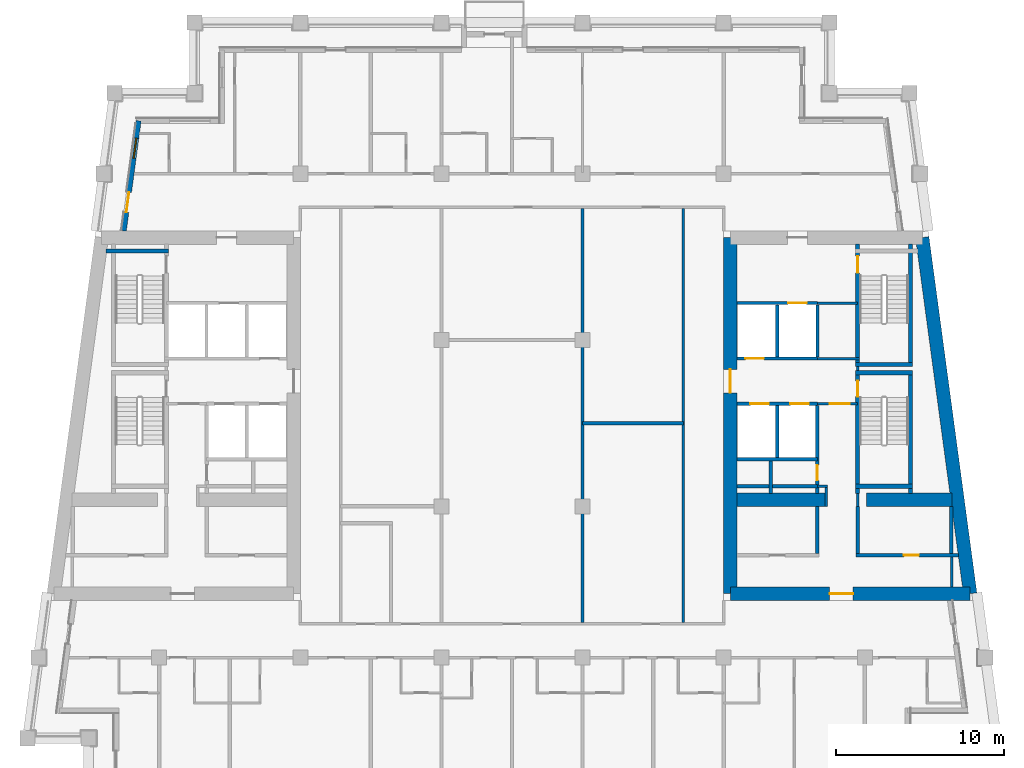
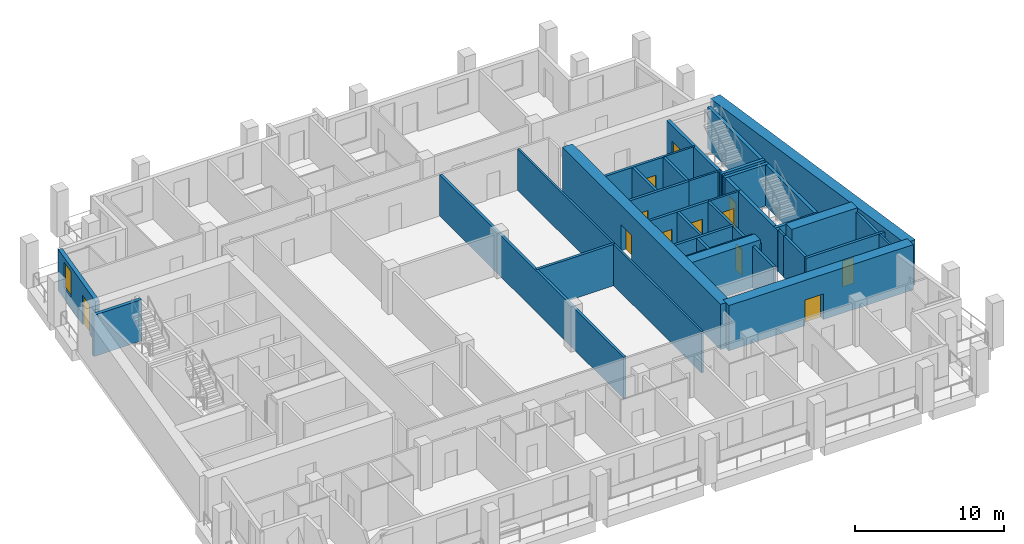
# One storey, part 5 of 12: 39 walls, 12 doors, 1 window, 13 openings.
"""IFC4 building model written with IfcOpenShell, lengths in metres."""

from ifc_helpers import new_model, si_unit, direction, frame, frame_2d, origin, place, context, subcontext, project, spatial, rectangle, extrude, material, layer, layer_set, type_object, element, fill, save


model = new_model("IFC4")

# Units and contexts
model_context = context("Model", 3, precision=1e-05, world=origin(), true_north=direction((0.0, 1.0)))
body_context = subcontext(model_context, "Body", "Model", "MODEL_VIEW")
ifc_project = project(units=[si_unit("LENGTHUNIT", "METRE"), si_unit("AREAUNIT", "SQUARE_METRE"), si_unit("VOLUMEUNIT", "CUBIC_METRE"), si_unit("PLANEANGLEUNIT", "RADIAN"), si_unit("MASSUNIT", "GRAM", prefix="KILO")], contexts=[model_context])

# Site, building, storey
site_placement = place(None, origin())
site = spatial("IfcSite", under=ifc_project, at=site_placement, CompositionType="ELEMENT")
building_placement = place(site_placement, origin())
building = spatial("IfcBuilding", under=site, at=building_placement, Name="Candeia Pilgrim Tower and Theatre", CompositionType="ELEMENT")
storey_placement = place(building_placement, frame((0.0, 0.0, 217.0)))
storey = spatial("IfcBuildingStorey", under=building, at=storey_placement, Name="L52", CompositionType="ELEMENT", Elevation=217.0)

# Wall
ifc_material_1 = material(Name="Concrete C50/60", Category="concrete")
ifc_layer_1 = layer(ifc_material_1, 0.800048828125)
ifc_layer_set_1 = layer_set([ifc_layer_1], Name="Core wall 800 C50/60")
wall_type_1 = type_object("IfcWallType", Name="Core wall 800 C50/60", PredefinedType="SHEAR", material=ifc_layer_set_1)
wall_1_placement = place(storey_placement, frame((137.819580078125, 132.0, 0.0), z_axis=(0.0, 0.0, 1.0), x_axis=(0.133408347329, -0.991061154956, 0.0)))
element("IfcWall", 1, at=wall_1_placement, inside=storey, type_object=wall_type_1, Name="Core wall E2", PredefinedType="SHEAR", context=body_context, shape_type="SweptSolid", body=[
    extrude(rectangle(XDim=21.39111328125, YDim=0.800048828125, at=frame_2d((10.695556640625, 0.0))), origin(), (0.0, 0.0, 1.0), 3.699951171875),
])

# Wall, opening, door
wall_2_placement = place(storey_placement, frame((140.67333984375, 110.800048828125, 0.0), z_axis=(0.0, 0.0, 1.0), x_axis=(-1.0, 0.0, 0.0)))
wall_2 = element("IfcWall", 2, at=wall_2_placement, inside=storey, type_object=wall_type_1, Name="Core wall E3", PredefinedType="SHEAR", context=body_context, shape_type="SweptSolid", body=[
    extrude(rectangle(XDim=14.2734375, YDim=0.800048828125, at=frame_2d((7.13671875, 0.0))), origin(), (0.0, 0.0, 1.0), 3.699951171875),
])
opening_1_placement = place(wall_2_placement, frame((6.96533203125, 0.0, 0.0)))
opening_1 = element("IfcOpeningElement", 3, at=opening_1_placement, cuts=wall_2, Name="Opening L52-D056", PredefinedType="OPENING", context=body_context, shape_type="SweptSolid", body=[
    extrude(rectangle(XDim=1.39990234375, YDim=2.10009765625, at=frame_2d((0.699951171875, 1.050048828125))), frame((0.0, 0.41015625, 0.0), z_axis=(0.0, -1.0, 0.0), x_axis=(1.0, 0.0, 0.0)), (0.0, 0.0, 1.0), 0.820068359375),
])
ifc_material_2 = material(Name="Steel fire door set", Category="steel")
door_type_1 = type_object("IfcDoorType", Name="D-1400-FD60", OperationType="NOTDEFINED", PredefinedType="DOOR", material=ifc_material_2)
door_1_placement = place(opening_1_placement, origin())
door_1 = element("IfcDoor", 4, at=door_1_placement, inside=storey, type_object=door_type_1, Name="Door L52-D056", OperationType="SINGLE_SWING_RIGHT", OverallHeight=2.10009765625, OverallWidth=1.39990234375, PredefinedType="DOOR", context=body_context, shape_type="SweptSolid", body=[
    extrude(rectangle(XDim=1.39990234375, YDim=2.10009765625, at=frame_2d((0.699951171875, 1.050048828125))), frame((0.0, 0.02490234375, 0.0), z_axis=(0.0, -1.0, 0.0), x_axis=(1.0, 0.0, 0.0)), (0.0, 0.0, 1.0), 0.050048828125),
])
fill(opening_1, door_1)

wall_3_placement = place(storey_placement, frame((126.39990234375, 110.800048828125, 0.0), z_axis=(0.0, 0.0, 1.0), x_axis=(0.0, 1.0, 0.0)))
wall_3 = element("IfcWall", 5, at=wall_3_placement, inside=storey, type_object=wall_type_1, Name="Core wall E4", PredefinedType="SHEAR", context=body_context, shape_type="SweptSolid", body=[
    extrude(rectangle(XDim=21.199951171875, YDim=0.800048828125, at=frame_2d((10.60009765625, 0.0))), origin(), (0.0, 0.0, 1.0), 3.699951171875),
])
opening_2_placement = place(wall_3_placement, frame((11.949951171875, 0.0, 0.0)))
opening_2 = element("IfcOpeningElement", 6, at=opening_2_placement, cuts=wall_3, Name="Opening L52-D058", PredefinedType="OPENING", context=body_context, shape_type="SweptSolid", body=[
    extrude(rectangle(XDim=1.39990234375, YDim=2.10009765625, at=frame_2d((0.699951171875, 1.050048828125))), frame((0.0, 0.41015625, 0.0), z_axis=(0.0, -1.0, 0.0), x_axis=(1.0, 0.0, 0.0)), (0.0, 0.0, 1.0), 0.820068359375),
])
door_2_placement = place(opening_2_placement, origin())
door_2 = element("IfcDoor", 7, at=door_2_placement, inside=storey, type_object=door_type_1, Name="Door L52-D058", OperationType="SINGLE_SWING_RIGHT", OverallHeight=2.10009765625, OverallWidth=1.39990234375, PredefinedType="DOOR", context=body_context, shape_type="SweptSolid", body=[
    extrude(rectangle(XDim=1.39990234375, YDim=2.10009765625, at=frame_2d((0.699951171875, 1.050048828125))), frame((0.0, 0.02490234375, 0.0), z_axis=(0.0, -1.0, 0.0), x_axis=(1.0, 0.0, 0.0)), (0.0, 0.0, 1.0), 0.050048828125),
])
fill(opening_2, door_2)

# Walls
wall_4_placement = place(storey_placement, frame((126.800048828125, 116.39990234375, 0.0), z_axis=(0.0, 0.0, 1.0), x_axis=(1.0, 0.0, 0.0)))
element("IfcWall", 8, at=wall_4_placement, inside=storey, type_object=wall_type_1, Name="Core wall E5", PredefinedType="SHEAR", context=body_context, shape_type="SweptSolid", body=[
    extrude(rectangle(XDim=5.300048828125, YDim=0.800048828125, at=frame_2d((2.64990234375, 0.0))), origin(), (0.0, 0.0, 1.0), 3.699951171875),
])
wall_5_placement = place(storey_placement, frame((134.5, 116.39990234375, 0.0), z_axis=(0.0, 0.0, 1.0), x_axis=(1.0, 0.0, 0.0)))
element("IfcWall", 9, at=wall_5_placement, inside=storey, type_object=wall_type_1, Name="Core wall E6", PredefinedType="SHEAR", context=body_context, shape_type="SweptSolid", body=[
    extrude(rectangle(XDim=5.076904296875, YDim=0.800048828125, at=frame_2d((2.53857421875, 0.0))), origin(), (0.0, 0.0, 1.0), 3.699951171875),
])

# Wall, openings, door, window
ifc_material_3 = material(Name="Ceramic block masonry", Category="masonry")
ifc_layer_2 = layer(ifc_material_3, 0.300048828125)
ifc_layer_set_2 = layer_set([ifc_layer_2], Name="EW1 glazing-line wall 300")
wall_type_2 = type_object("IfcWallType", Name="EW1 glazing-line wall 300", PredefinedType="SOLIDWALL", material=ifc_layer_set_2)
wall_6_placement = place(storey_placement, frame((91.177490234375, 138.949951171875, 0.0), z_axis=(0.0, 0.0, 1.0), x_axis=(-0.133426664613, -0.991058689065, 0.0)))
wall_6 = element("IfcWall", 10, at=wall_6_placement, inside=storey, type_object=wall_type_2, Name="External wall L52-9.0", PredefinedType="SOLIDWALL", context=body_context, shape_type="SweptSolid", body=[
    extrude(rectangle(XDim=6.609130859375, YDim=0.300048828125, at=frame_2d((3.3046875, 0.0))), origin(), (0.0, 0.0, 1.0), 3.3798828125),
])
opening_3_placement = place(wall_6_placement, frame((1.039306640625, 0.0, 0.89990234375)))
opening_3 = element("IfcOpeningElement", 11, at=opening_3_placement, cuts=wall_6, Name="Opening W-B", PredefinedType="OPENING", context=body_context, shape_type="SweptSolid", body=[
    extrude(rectangle(XDim=1.199951171875, YDim=2.10009765625, at=frame_2d((0.60009765625, 1.050048828125))), frame((0.0, 0.16015625, 0.0), z_axis=(0.0, -1.0, 0.0), x_axis=(1.0, 0.0, 0.0)), (0.0, 0.0, 1.0), 0.320068359375),
])
opening_4_placement = place(wall_6_placement, frame((4.293701171875, 0.0, 0.0)))
opening_4 = element("IfcOpeningElement", 12, at=opening_4_placement, cuts=wall_6, Name="Opening L52-ED501", PredefinedType="OPENING", context=body_context, shape_type="SweptSolid", body=[
    extrude(rectangle(XDim=1.199951171875, YDim=2.39990234375, at=frame_2d((0.60009765625, 1.199951171875))), frame((0.0, 0.16015625, 0.0), z_axis=(0.0, -1.0, 0.0), x_axis=(1.0, 0.0, 0.0)), (0.0, 0.0, 1.0), 0.320068359375),
])
ifc_material_4 = material(Name="Aluminium framed glazed door", Category="aluminium")
door_type_2 = type_object("IfcDoorType", Name="Loggia door 1200x2400", OperationType="DOUBLE_DOOR_SINGLE_SWING", PredefinedType="DOOR", material=ifc_material_4)
door_3_placement = place(opening_4_placement, origin())
door_3 = element("IfcDoor", 13, at=door_3_placement, inside=storey, type_object=door_type_2, Name="Loggia door L52-ED501", OperationType="DOUBLE_DOOR_SINGLE_SWING", OverallHeight=2.39990234375, OverallWidth=1.199951171875, PredefinedType="DOOR", context=body_context, shape_type="SweptSolid", body=[
    extrude(rectangle(XDim=1.199951171875, YDim=2.39990234375, at=frame_2d((0.60009765625, 1.199951171875))), frame((0.0, 0.02490234375, 0.0), z_axis=(0.0, -1.0, 0.0), x_axis=(1.0, 0.0, 0.0)), (0.0, 0.0, 1.0), 0.050048828125),
])
fill(opening_4, door_3)
ifc_material_5 = material(Name="Aluminium framed double glazing", Category="aluminium")
window_type = type_object("IfcWindowType", Name="W-B window 1200x2100", PartitioningType="SINGLE_PANEL", PredefinedType="WINDOW", material=ifc_material_5)
window_placement = place(opening_3_placement, origin())
window = element("IfcWindow", 14, at=window_placement, inside=storey, type_object=window_type, Name="Window W-B L52", OverallHeight=2.10009765625, OverallWidth=1.199951171875, PartitioningType="SINGLE_PANEL", PredefinedType="WINDOW", context=body_context, shape_type="SweptSolid", body=[
    extrude(rectangle(XDim=1.199951171875, YDim=2.10009765625, at=frame_2d((0.60009765625, 1.050048828125))), frame((0.0, 0.030029296875, 0.0), z_axis=(0.0, -1.0, 0.0), x_axis=(1.0, 0.0, 0.0)), (0.0, 0.0, 1.0), 0.06005859375),
])
fill(opening_3, window)

# Wall
ifc_material_6 = material(Name="Gypsum board partition on steel studs", Category="steel")
ifc_layer_3 = layer(ifc_material_6, 0.14990234375)
ifc_layer_set_3 = layer_set([ifc_layer_3], Name="PW-150 lobby wall")
wall_type_3 = type_object("IfcWallType", Name="PW-150 lobby wall", PredefinedType="PARTITIONING", material=ifc_layer_set_3)
wall_7_placement = place(storey_placement, frame((131.572998046875, 117.199951171875, 0.0), z_axis=(0.0, 0.0, 1.0), x_axis=(1.0, 0.0, 0.0)))
element("IfcWall", 15, at=wall_7_placement, inside=storey, type_object=wall_type_3, Name="Lobby wall L52-020", PredefinedType="PARTITIONING", context=body_context, shape_type="SweptSolid", body=[
    extrude(rectangle(XDim=0.60205078125, YDim=0.14990234375, at=frame_2d((0.301025390625, 0.0))), origin(), (0.0, 0.0, 1.0), 3.3798828125),
])

# Wall, opening, door
wall_8_placement = place(storey_placement, frame((131.572998046875, 122.10009765625, 0.0), z_axis=(0.0, 0.0, 1.0), x_axis=(1.0, 0.0, 0.0)))
wall_8 = element("IfcWall", 16, at=wall_8_placement, inside=storey, type_object=wall_type_3, Name="Lobby wall L52-029", PredefinedType="PARTITIONING", context=body_context, shape_type="SweptSolid", body=[
    extrude(rectangle(XDim=2.39990234375, YDim=0.14990234375, at=frame_2d((1.199951171875, 0.0))), origin(), (0.0, 0.0, 1.0), 3.3798828125),
])
opening_5_placement = place(wall_8_placement, frame((0.72509765625, 0.0, 0.0)))
opening_5 = element("IfcOpeningElement", 17, at=opening_5_placement, cuts=wall_8, Name="Opening L52-D007", PredefinedType="OPENING", context=body_context, shape_type="SweptSolid", body=[
    extrude(rectangle(XDim=1.199951171875, YDim=2.10009765625, at=frame_2d((0.60009765625, 1.050048828125))), frame((0.0, 0.0849609375, 0.0), z_axis=(0.0, -1.0, 0.0), x_axis=(1.0, 0.0, 0.0)), (0.0, 0.0, 1.0), 0.169921875),
])
door_type_3 = type_object("IfcDoorType", Name="D-1200-FD60", OperationType="NOTDEFINED", PredefinedType="DOOR", material=ifc_material_2)
door_4_placement = place(opening_5_placement, origin())
door_4 = element("IfcDoor", 18, at=door_4_placement, inside=storey, type_object=door_type_3, Name="Door L52-D007", OperationType="SINGLE_SWING_LEFT", OverallHeight=2.10009765625, OverallWidth=1.199951171875, PredefinedType="DOOR", context=body_context, shape_type="SweptSolid", body=[
    extrude(rectangle(XDim=1.199951171875, YDim=2.10009765625, at=frame_2d((0.60009765625, 1.050048828125))), frame((0.0, 0.02490234375, 0.0), z_axis=(0.0, -1.0, 0.0), x_axis=(1.0, 0.0, 0.0)), (0.0, 0.0, 1.0), 0.050048828125),
])
fill(opening_5, door_4)

# Walls
wall_9_placement = place(storey_placement, frame((131.58203125, 124.800048828125, 0.0), z_axis=(0.0, 0.0, 1.0), x_axis=(1.0, 0.0, 0.0)))
element("IfcWall", 19, at=wall_9_placement, inside=storey, type_object=wall_type_3, Name="Lobby wall L52-036", PredefinedType="PARTITIONING", context=body_context, shape_type="SweptSolid", body=[
    extrude(rectangle(XDim=2.515869140625, YDim=0.14990234375, at=frame_2d((1.2578125, 0.0))), origin(), (0.0, 0.0, 1.0), 3.3798828125),
])
wall_10_placement = place(storey_placement, frame((131.58203125, 128.10009765625, 0.0), z_axis=(0.0, 0.0, 1.0), x_axis=(1.0, 0.0, 0.0)))
element("IfcWall", 20, at=wall_10_placement, inside=storey, type_object=wall_type_3, Name="Lobby wall L52-040", PredefinedType="PARTITIONING", context=body_context, shape_type="SweptSolid", body=[
    extrude(rectangle(XDim=2.390869140625, YDim=0.14990234375, at=frame_2d((1.1953125, 0.0))), origin(), (0.0, 0.0, 1.0), 3.3798828125),
])
wall_11_placement = place(storey_placement, frame((132.10009765625, 116.0, 0.0), z_axis=(0.0, 0.0, 1.0), x_axis=(0.0, 1.0, 0.0)))
element("IfcWall", 21, at=wall_11_placement, inside=storey, type_object=wall_type_3, Name="Lobby wall L52-109", PredefinedType="PARTITIONING", context=body_context, shape_type="SweptSolid", body=[
    extrude(rectangle(XDim=1.125, YDim=0.14990234375, at=frame_2d((0.5625, 0.0))), origin(), (0.0, 0.0, 1.0), 3.3798828125),
])
wall_12_placement = place(storey_placement, frame((133.972900390625, 116.0, 0.0), z_axis=(0.0, 0.0, 1.0), x_axis=(0.0, 1.0, 0.0)))
element("IfcWall", 22, at=wall_12_placement, inside=storey, type_object=wall_type_3, Name="Lobby wall L52-111", PredefinedType="PARTITIONING", context=body_context, shape_type="SweptSolid", body=[
    extrude(rectangle(XDim=0.77001953125, YDim=0.14990234375, at=frame_2d((0.385009765625, 0.0))), origin(), (0.0, 0.0, 1.0), 3.3798828125),
])
wall_13_placement = place(storey_placement, frame((133.972900390625, 124.074951171875, 0.0), z_axis=(0.0, 0.0, 1.0), x_axis=(0.0, 1.0, 0.0)))
element("IfcWall", 23, at=wall_13_placement, inside=storey, type_object=wall_type_3, Name="Lobby wall L52-112", PredefinedType="PARTITIONING", context=body_context, shape_type="SweptSolid", body=[
    extrude(rectangle(XDim=0.25, YDim=0.14990234375, at=frame_2d((0.125, 0.0))), origin(), (0.0, 0.0, 1.0), 3.3798828125),
])
wall_14_placement = place(storey_placement, frame((139.572998046875, 111.199951171875, 0.0), z_axis=(0.0, 0.0, 1.0), x_axis=(0.0, 1.0, 0.0)))
element("IfcWall", 24, at=wall_14_placement, inside=storey, type_object=wall_type_3, Name="Lobby wall L52-120", PredefinedType="PARTITIONING", context=body_context, shape_type="SweptSolid", body=[
    extrude(rectangle(XDim=1.800048828125, YDim=0.14990234375, at=frame_2d((0.89990234375, 0.0))), origin(), (0.0, 0.0, 1.0), 3.3798828125),
])
ifc_layer_4 = layer(ifc_material_6, 0.14990234375)
ifc_layer_set_4 = layer_set([ifc_layer_4], Name="PW-150 unit wall")
wall_type_4 = type_object("IfcWallType", Name="PW-150 unit wall", PredefinedType="PARTITIONING", material=ifc_layer_set_4)
wall_15_placement = place(storey_placement, frame((123.60009765625, 109.074951171875, 0.0), z_axis=(0.0, 0.0, 1.0), x_axis=(0.0, 1.0, 0.0)))
element("IfcWall", 25, at=wall_15_placement, inside=storey, type_object=wall_type_4, Name="Unit wall L52-096", PredefinedType="PARTITIONING", context=body_context, shape_type="SweptSolid", body=[
    extrude(rectangle(XDim=24.650146484375, YDim=0.14990234375, at=frame_2d((12.3251953125, 0.0))), origin(), (0.0, 0.0, 1.0), 3.3798828125),
])
ifc_layer_5 = layer(ifc_material_6, 0.199951171875)
ifc_layer_set_5 = layer_set([ifc_layer_5], Name="PW-200 party wall")
wall_type_5 = type_object("IfcWallType", Name="PW-200 party wall", PredefinedType="PARTITIONING", material=ifc_layer_set_5)
wall_16_placement = place(storey_placement, frame((117.60009765625, 120.949951171875, 0.0), z_axis=(0.0, 0.0, 1.0), x_axis=(1.0, 0.0, 0.0)))
element("IfcWall", 26, at=wall_16_placement, inside=storey, type_object=wall_type_5, Name="Party wall L52-025", PredefinedType="PARTITIONING", context=body_context, shape_type="SweptSolid", body=[
    extrude(rectangle(XDim=6.0, YDim=0.199951171875, at=frame_2d((3.0, 0.0))), origin(), (0.0, 0.0, 1.0), 3.3798828125),
])
wall_17_placement = place(storey_placement, frame((117.60009765625, 109.074951171875, 0.0), z_axis=(0.0, 0.0, 1.0), x_axis=(0.0, 1.0, 0.0)))
element("IfcWall", 27, at=wall_17_placement, inside=storey, type_object=wall_type_5, Name="Party wall L52-092", PredefinedType="PARTITIONING", context=body_context, shape_type="SweptSolid", body=[
    extrude(rectangle(XDim=24.650146484375, YDim=0.199951171875, at=frame_2d((12.3251953125, 0.0))), origin(), (0.0, 0.0, 1.0), 3.3798828125),
])

# Wall, opening, door
ifc_material_7 = material(Name="Concrete C40/50", Category="concrete")
ifc_layer_6 = layer(ifc_material_7, 0.199951171875)
ifc_layer_set_6 = layer_set([ifc_layer_6], Name="SW-200 shaft wall")
wall_type_6 = type_object("IfcWallType", Name="SW-200 shaft wall", PredefinedType="PARTITIONING", material=ifc_layer_set_6)
wall_18_placement = place(storey_placement, frame((133.873046875, 113.10009765625, 0.0), z_axis=(0.0, 0.0, 1.0), x_axis=(1.0, 0.0, 0.0)))
wall_18 = element("IfcWall", 28, at=wall_18_placement, inside=storey, type_object=wall_type_6, Name="Shaft wall L52-014", PredefinedType="PARTITIONING", context=body_context, shape_type="SweptSolid", body=[
    extrude(rectangle(XDim=6.116943359375, YDim=0.199951171875, at=frame_2d((3.05859375, 0.0))), origin(), (0.0, 0.0, 1.0), 3.3798828125),
])
opening_6_placement = place(wall_18_placement, frame((2.85009765625, 0.0, 0.0)))
opening_6 = element("IfcOpeningElement", 29, at=opening_6_placement, cuts=wall_18, Name="Opening L52-D011", PredefinedType="OPENING", context=body_context, shape_type="SweptSolid", body=[
    extrude(rectangle(XDim=0.89990234375, YDim=2.10009765625, at=frame_2d((0.449951171875, 1.050048828125))), frame((0.0, 0.10986328125, 0.0), z_axis=(0.0, -1.0, 0.0), x_axis=(1.0, 0.0, 0.0)), (0.0, 0.0, 1.0), 0.219970703125),
])
door_type_4 = type_object("IfcDoorType", Name="D-900-FD60", OperationType="NOTDEFINED", PredefinedType="DOOR", material=ifc_material_2)
door_5_placement = place(opening_6_placement, origin())
door_5 = element("IfcDoor", 30, at=door_5_placement, inside=storey, type_object=door_type_4, Name="Door L52-D011", OperationType="SINGLE_SWING_LEFT", OverallHeight=2.10009765625, OverallWidth=0.89990234375, PredefinedType="DOOR", context=body_context, shape_type="SweptSolid", body=[
    extrude(rectangle(XDim=0.89990234375, YDim=2.10009765625, at=frame_2d((0.449951171875, 1.050048828125))), frame((0.0, 0.02490234375, 0.0), z_axis=(0.0, -1.0, 0.0), x_axis=(1.0, 0.0, 0.0)), (0.0, 0.0, 1.0), 0.050048828125),
])
fill(opening_6, door_5)

# Walls
for number, where, z_axis, x_axis, name in (
    (31, (126.800048828125, 117.199951171875, 0.0), (0.0, 0.0, 1.0), (1.0, 0.0, 0.0), "Shaft wall L52-018"),
    (32, (126.800048828125, 118.800048828125, 0.0), (0.0, 0.0, 1.0), (1.0, 0.0, 0.0), "Shaft wall L52-024"),
):
    element("IfcWall", number, at=place(storey_placement, frame(where, z_axis=z_axis, x_axis=x_axis)), inside=storey, type_object=wall_type_6, Name=name, PredefinedType="PARTITIONING", context=body_context, shape_type="SweptSolid", body=[
        extrude(rectangle(XDim=4.77294921875, YDim=0.199951171875, at=frame_2d((2.386474609375, 0.0))), origin(), (0.0, 0.0, 1.0), 3.3798828125),
    ])

# Wall, openings, doors
wall_19_placement = place(storey_placement, frame((126.800048828125, 122.10009765625, 0.0), z_axis=(0.0, 0.0, 1.0), x_axis=(1.0, 0.0, 0.0)))
wall_19 = element("IfcWall", 33, at=wall_19_placement, inside=storey, type_object=wall_type_6, Name="Shaft wall L52-027", PredefinedType="PARTITIONING", context=body_context, shape_type="SweptSolid", body=[
    extrude(rectangle(XDim=4.77294921875, YDim=0.199951171875, at=frame_2d((2.386474609375, 0.0))), origin(), (0.0, 0.0, 1.0), 3.3798828125),
])
opening_7_placement = place(wall_19_placement, frame((3.176025390625, 0.0, 0.0)))
opening_7 = element("IfcOpeningElement", 34, at=opening_7_placement, cuts=wall_19, Name="Opening L52-LD05", PredefinedType="OPENING", context=body_context, shape_type="SweptSolid", body=[
    extrude(rectangle(XDim=1.10009765625, YDim=2.10009765625, at=frame_2d((0.550048828125, 1.050048828125))), frame((0.0, 0.10986328125, 0.0), z_axis=(0.0, -1.0, 0.0), x_axis=(1.0, 0.0, 0.0)), (0.0, 0.0, 1.0), 0.219970703125),
])
opening_8_placement = place(wall_19_placement, frame((0.7900390625, 0.0, 0.0)))
opening_8 = element("IfcOpeningElement", 35, at=opening_8_placement, cuts=wall_19, Name="Opening L52-LD06", PredefinedType="OPENING", context=body_context, shape_type="SweptSolid", body=[
    extrude(rectangle(XDim=1.10009765625, YDim=2.10009765625, at=frame_2d((0.550048828125, 1.050048828125))), frame((0.0, 0.10986328125, 0.0), z_axis=(0.0, -1.0, 0.0), x_axis=(1.0, 0.0, 0.0)), (0.0, 0.0, 1.0), 0.219970703125),
])
ifc_material_8 = material(Name="Glazed aluminium landing door", Category="aluminium")
door_type_5 = type_object("IfcDoorType", Name="LD-1100-EI120", OperationType="SLIDING_TO_LEFT", PredefinedType="DOOR", material=ifc_material_8)
door_6_placement = place(opening_7_placement, origin())
door_6 = element("IfcDoor", 36, at=door_6_placement, inside=storey, type_object=door_type_5, Name="Landing door 05 L52", OperationType="SLIDING_TO_LEFT", OverallHeight=2.10009765625, OverallWidth=1.10009765625, PredefinedType="DOOR", context=body_context, shape_type="SweptSolid", body=[
    extrude(rectangle(XDim=1.10009765625, YDim=2.10009765625, at=frame_2d((0.550048828125, 1.050048828125))), frame((0.0, 0.02490234375, 0.0), z_axis=(0.0, -1.0, 0.0), x_axis=(1.0, 0.0, 0.0)), (0.0, 0.0, 1.0), 0.050048828125),
])
fill(opening_7, door_6)
door_7_placement = place(opening_8_placement, origin())
door_7 = element("IfcDoor", 37, at=door_7_placement, inside=storey, type_object=door_type_5, Name="Landing door 06 L52", OperationType="SLIDING_TO_LEFT", OverallHeight=2.10009765625, OverallWidth=1.10009765625, PredefinedType="DOOR", context=body_context, shape_type="SweptSolid", body=[
    extrude(rectangle(XDim=1.10009765625, YDim=2.10009765625, at=frame_2d((0.550048828125, 1.050048828125))), frame((0.0, 0.02490234375, 0.0), z_axis=(0.0, -1.0, 0.0), x_axis=(1.0, 0.0, 0.0)), (0.0, 0.0, 1.0), 0.050048828125),
])
fill(opening_8, door_7)

# Wall, opening, door
wall_20_placement = place(storey_placement, frame((126.800048828125, 124.800048828125, 0.0), z_axis=(0.0, 0.0, 1.0), x_axis=(1.0, 0.0, 0.0)))
wall_20 = element("IfcWall", 38, at=wall_20_placement, inside=storey, type_object=wall_type_6, Name="Shaft wall L52-035", PredefinedType="PARTITIONING", context=body_context, shape_type="SweptSolid", body=[
    extrude(rectangle(XDim=4.781982421875, YDim=0.199951171875, at=frame_2d((2.39111328125, 0.0))), origin(), (0.0, 0.0, 1.0), 3.3798828125),
])
opening_9_placement = place(wall_20_placement, frame((0.498046875, 0.0, 0.0)))
opening_9 = element("IfcOpeningElement", 39, at=opening_9_placement, cuts=wall_20, Name="Opening L52-LD08", PredefinedType="OPENING", context=body_context, shape_type="SweptSolid", body=[
    extrude(rectangle(XDim=1.10009765625, YDim=2.10009765625, at=frame_2d((0.550048828125, 1.050048828125))), frame((0.0, 0.10986328125, 0.0), z_axis=(0.0, -1.0, 0.0), x_axis=(1.0, 0.0, 0.0)), (0.0, 0.0, 1.0), 0.219970703125),
])
door_8_placement = place(opening_9_placement, origin())
door_8 = element("IfcDoor", 40, at=door_8_placement, inside=storey, type_object=door_type_5, Name="Landing door 08 L52", OperationType="SLIDING_TO_LEFT", OverallHeight=2.10009765625, OverallWidth=1.10009765625, PredefinedType="DOOR", context=body_context, shape_type="SweptSolid", body=[
    extrude(rectangle(XDim=1.10009765625, YDim=2.10009765625, at=frame_2d((0.550048828125, 1.050048828125))), frame((0.0, 0.02490234375, 0.0), z_axis=(0.0, -1.0, 0.0), x_axis=(1.0, 0.0, 0.0)), (0.0, 0.0, 1.0), 0.050048828125),
])
fill(opening_9, door_8)

wall_21_placement = place(storey_placement, frame((126.800048828125, 128.10009765625, 0.0), z_axis=(0.0, 0.0, 1.0), x_axis=(1.0, 0.0, 0.0)))
wall_21 = element("IfcWall", 41, at=wall_21_placement, inside=storey, type_object=wall_type_6, Name="Shaft wall L52-039", PredefinedType="PARTITIONING", context=body_context, shape_type="SweptSolid", body=[
    extrude(rectangle(XDim=4.781982421875, YDim=0.199951171875, at=frame_2d((2.39111328125, 0.0))), origin(), (0.0, 0.0, 1.0), 3.3798828125),
])
opening_10_placement = place(wall_21_placement, frame((3.035888671875, 0.0, 0.0)))
opening_10 = element("IfcOpeningElement", 42, at=opening_10_placement, cuts=wall_21, Name="Opening L52-LD07", PredefinedType="OPENING", context=body_context, shape_type="SweptSolid", body=[
    extrude(rectangle(XDim=1.10009765625, YDim=2.10009765625, at=frame_2d((0.550048828125, 1.050048828125))), frame((0.0, 0.10986328125, 0.0), z_axis=(0.0, -1.0, 0.0), x_axis=(1.0, 0.0, 0.0)), (0.0, 0.0, 1.0), 0.219970703125),
])
door_9_placement = place(opening_10_placement, origin())
door_9 = element("IfcDoor", 43, at=door_9_placement, inside=storey, type_object=door_type_5, Name="Landing door 07 L52", OperationType="SLIDING_TO_LEFT", OverallHeight=2.10009765625, OverallWidth=1.10009765625, PredefinedType="DOOR", context=body_context, shape_type="SweptSolid", body=[
    extrude(rectangle(XDim=1.10009765625, YDim=2.10009765625, at=frame_2d((0.550048828125, 1.050048828125))), frame((0.0, 0.02490234375, 0.0), z_axis=(0.0, -1.0, 0.0), x_axis=(1.0, 0.0, 0.0)), (0.0, 0.0, 1.0), 0.050048828125),
])
fill(opening_10, door_9)

# Walls
wall_22_placement = place(storey_placement, frame((128.800048828125, 116.77001953125, 0.0), z_axis=(0.0, 0.0, 1.0), x_axis=(0.0, 1.0, 0.0)))
element("IfcWall", 44, at=wall_22_placement, inside=storey, type_object=wall_type_6, Name="Shaft wall L52-102", PredefinedType="PARTITIONING", context=body_context, shape_type="SweptSolid", body=[
    extrude(rectangle(XDim=1.929931640625, YDim=0.199951171875, at=frame_2d((0.96484375, 0.0))), origin(), (0.0, 0.0, 1.0), 3.3798828125),
])
for number, where, z_axis, x_axis, name in (
    (45, (129.1865234375, 118.89990234375, 0.0), (0.0, 0.0, 1.0), (0.0, 1.0, 0.0), "Shaft wall L52-103"),
    (46, (129.19091796875, 124.89990234375, 0.0), (0.0, 0.0, 1.0), (0.0, 1.0, 0.0), "Shaft wall L52-104"),
):
    element("IfcWall", number, at=place(storey_placement, frame(where, z_axis=z_axis, x_axis=x_axis)), inside=storey, type_object=wall_type_6, Name=name, PredefinedType="PARTITIONING", context=body_context, shape_type="SweptSolid", body=[
        extrude(rectangle(XDim=3.10009765625, YDim=0.199951171875, at=frame_2d((1.550048828125, 0.0))), origin(), (0.0, 0.0, 1.0), 3.3798828125),
    ])
wall_23_placement = place(storey_placement, frame((131.572998046875, 113.199951171875, 0.0), z_axis=(0.0, 0.0, 1.0), x_axis=(0.0, 1.0, 0.0)))
element("IfcWall", 47, at=wall_23_placement, inside=storey, type_object=wall_type_6, Name="Shaft wall L52-106", PredefinedType="PARTITIONING", context=body_context, shape_type="SweptSolid", body=[
    extrude(rectangle(XDim=2.800048828125, YDim=0.199951171875, at=frame_2d((1.39990234375, 0.0))), origin(), (0.0, 0.0, 1.0), 3.3798828125),
])

# Wall, opening, door
wall_24_placement = place(storey_placement, frame((131.572998046875, 116.77001953125, 0.0), z_axis=(0.0, 0.0, 1.0), x_axis=(0.0, 1.0, 0.0)))
wall_24 = element("IfcWall", 48, at=wall_24_placement, inside=storey, type_object=wall_type_6, Name="Shaft wall L52-107", PredefinedType="PARTITIONING", context=body_context, shape_type="SweptSolid", body=[
    extrude(rectangle(XDim=5.22998046875, YDim=0.199951171875, at=frame_2d((2.614990234375, 0.0))), origin(), (0.0, 0.0, 1.0), 3.3798828125),
])
opening_11_placement = place(wall_24_placement, frame((0.780029296875, 0.0, 0.0)))
opening_11 = element("IfcOpeningElement", 49, at=opening_11_placement, cuts=wall_24, Name="Opening L52-D010", PredefinedType="OPENING", context=body_context, shape_type="SweptSolid", body=[
    extrude(rectangle(XDim=0.89990234375, YDim=2.10009765625, at=frame_2d((0.449951171875, 1.050048828125))), frame((0.0, 0.10986328125, 0.0), z_axis=(0.0, -1.0, 0.0), x_axis=(1.0, 0.0, 0.0)), (0.0, 0.0, 1.0), 0.219970703125),
])
door_10_placement = place(opening_11_placement, origin())
door_10 = element("IfcDoor", 50, at=door_10_placement, inside=storey, type_object=door_type_4, Name="Door L52-D010", OperationType="SINGLE_SWING_RIGHT", OverallHeight=2.10009765625, OverallWidth=0.89990234375, PredefinedType="DOOR", context=body_context, shape_type="SweptSolid", body=[
    extrude(rectangle(XDim=0.89990234375, YDim=2.10009765625, at=frame_2d((0.449951171875, 1.050048828125))), frame((0.0, 0.02490234375, 0.0), z_axis=(0.0, -1.0, 0.0), x_axis=(1.0, 0.0, 0.0)), (0.0, 0.0, 1.0), 0.050048828125),
])
fill(opening_11, door_10)

# Walls
wall_25_placement = place(storey_placement, frame((131.58203125, 124.89990234375, 0.0), z_axis=(0.0, 0.0, 1.0), x_axis=(0.0, 1.0, 0.0)))
element("IfcWall", 51, at=wall_25_placement, inside=storey, type_object=wall_type_6, Name="Shaft wall L52-108", PredefinedType="PARTITIONING", context=body_context, shape_type="SweptSolid", body=[
    extrude(rectangle(XDim=3.10009765625, YDim=0.199951171875, at=frame_2d((1.550048828125, 0.0))), origin(), (0.0, 0.0, 1.0), 3.3798828125),
])
for number, where, z_axis, x_axis, name in (
    (52, (133.972900390625, 113.199951171875, 0.0), (0.0, 0.0, 1.0), (0.0, 1.0, 0.0), "Shaft wall L52-110"),
    (53, (139.550537109375, 113.199951171875, 0.0), (0.0, 0.0, 1.0), (0.0, 1.0, 0.0), "Shaft wall L52-119"),
):
    element("IfcWall", number, at=place(storey_placement, frame(where, z_axis=z_axis, x_axis=x_axis)), inside=storey, type_object=wall_type_6, Name=name, PredefinedType="PARTITIONING", context=body_context, shape_type="SweptSolid", body=[
        extrude(rectangle(XDim=2.800048828125, YDim=0.199951171875, at=frame_2d((1.39990234375, 0.0))), origin(), (0.0, 0.0, 1.0), 3.3798828125),
    ])
ifc_layer_7 = layer(ifc_material_7, 0.25)
ifc_layer_set_7 = layer_set([ifc_layer_7], Name="SW-250 stair wall")
wall_type_7 = type_object("IfcWallType", Name="SW-250 stair wall", PredefinedType="PARTITIONING", material=ifc_layer_set_7)
for number, where, z_axis, x_axis, name in (
    (54, (133.847900390625, 117.199951171875, 0.0), (0.0, 0.0, 1.0), (1.0, 0.0, 0.0), "Stair wall L52-022"),
    (55, (133.847900390625, 123.949951171875, 0.0), (0.0, 0.0, 1.0), (1.0, 0.0, 0.0), "Stair wall L52-031"),
    (56, (133.847900390625, 124.449951171875, 0.0), (0.0, 0.0, 1.0), (1.0, 0.0, 0.0), "Stair wall L52-033"),
):
    element("IfcWall", number, at=place(storey_placement, frame(where, z_axis=z_axis, x_axis=x_axis)), inside=storey, type_object=wall_type_7, Name=name, PredefinedType="PARTITIONING", context=body_context, shape_type="SweptSolid", body=[
        extrude(rectangle(XDim=3.400146484375, YDim=0.25, at=frame_2d((1.7001953125, 0.0))), origin(), (0.0, 0.0, 1.0), 3.3798828125),
    ])
wall_26_placement = place(storey_placement, frame((89.246337890625, 131.199951171875, 0.0), z_axis=(0.0, 0.0, 1.0), x_axis=(1.0, 0.0, 0.0)))
element("IfcWall", 57, at=wall_26_placement, inside=storey, type_object=wall_type_7, Name="Stair wall L52-041", PredefinedType="PARTITIONING", context=body_context, shape_type="SweptSolid", body=[
    extrude(rectangle(XDim=3.70556640625, YDim=0.25, at=frame_2d((1.852783203125, 0.0))), origin(), (0.0, 0.0, 1.0), 3.3798828125),
])

# Wall, opening, door
wall_27_placement = place(storey_placement, frame((133.972900390625, 116.77001953125, 0.0), z_axis=(0.0, 0.0, 1.0), x_axis=(0.0, 1.0, 0.0)))
wall_27 = element("IfcWall", 58, at=wall_27_placement, inside=storey, type_object=wall_type_7, Name="Stair wall L52-113", PredefinedType="PARTITIONING", context=body_context, shape_type="SweptSolid", body=[
    extrude(rectangle(XDim=7.054931640625, YDim=0.25, at=frame_2d((3.52734375, 0.0))), origin(), (0.0, 0.0, 1.0), 3.3798828125),
])
opening_12_placement = place(wall_27_placement, frame((5.7548828125, 0.0, 0.0)))
opening_12 = element("IfcOpeningElement", 59, at=opening_12_placement, cuts=wall_27, Name="Opening L52-D008", PredefinedType="OPENING", context=body_context, shape_type="SweptSolid", body=[
    extrude(rectangle(XDim=0.949951171875, YDim=2.10009765625, at=frame_2d((0.47509765625, 1.050048828125))), frame((0.0, 0.135009765625, 0.0), z_axis=(0.0, -1.0, 0.0), x_axis=(1.0, 0.0, 0.0)), (0.0, 0.0, 1.0), 0.27001953125),
])
door_type_6 = type_object("IfcDoorType", Name="D-950-FD60", OperationType="NOTDEFINED", PredefinedType="DOOR", material=ifc_material_2)
door_11_placement = place(opening_12_placement, origin())
door_11 = element("IfcDoor", 60, at=door_11_placement, inside=storey, type_object=door_type_6, Name="Door L52-D008", OperationType="SINGLE_SWING_RIGHT", OverallHeight=2.10009765625, OverallWidth=0.949951171875, PredefinedType="DOOR", context=body_context, shape_type="SweptSolid", body=[
    extrude(rectangle(XDim=0.949951171875, YDim=2.10009765625, at=frame_2d((0.47509765625, 1.050048828125))), frame((0.0, 0.02490234375, 0.0), z_axis=(0.0, -1.0, 0.0), x_axis=(1.0, 0.0, 0.0)), (0.0, 0.0, 1.0), 0.050048828125),
])
fill(opening_12, door_11)

wall_28_placement = place(storey_placement, frame((133.972900390625, 124.574951171875, 0.0), z_axis=(0.0, 0.0, 1.0), x_axis=(0.0, 1.0, 0.0)))
wall_28 = element("IfcWall", 61, at=wall_28_placement, inside=storey, type_object=wall_type_7, Name="Stair wall L52-114", PredefinedType="PARTITIONING", context=body_context, shape_type="SweptSolid", body=[
    extrude(rectangle(XDim=7.054931640625, YDim=0.25, at=frame_2d((3.52734375, 0.0))), origin(), (0.0, 0.0, 1.0), 3.3798828125),
])
opening_13_placement = place(wall_28_placement, frame((5.324951171875, 0.0, 0.0)))
opening_13 = element("IfcOpeningElement", 62, at=opening_13_placement, cuts=wall_28, Name="Opening L52-D009", PredefinedType="OPENING", context=body_context, shape_type="SweptSolid", body=[
    extrude(rectangle(XDim=1.0, YDim=2.10009765625, at=frame_2d((0.5, 1.050048828125))), frame((0.0, 0.135009765625, 0.0), z_axis=(0.0, -1.0, 0.0), x_axis=(1.0, 0.0, 0.0)), (0.0, 0.0, 1.0), 0.27001953125),
])
door_type_7 = type_object("IfcDoorType", Name="D-1000-FD60", OperationType="NOTDEFINED", PredefinedType="DOOR", material=ifc_material_2)
door_12_placement = place(opening_13_placement, origin())
door_12 = element("IfcDoor", 63, at=door_12_placement, inside=storey, type_object=door_type_7, Name="Door L52-D009", OperationType="SINGLE_SWING_LEFT", OverallHeight=2.10009765625, OverallWidth=1.0, PredefinedType="DOOR", context=body_context, shape_type="SweptSolid", body=[
    extrude(rectangle(XDim=1.0, YDim=2.10009765625, at=frame_2d((0.5, 1.050048828125))), frame((0.0, 0.02490234375, 0.0), z_axis=(0.0, -1.0, 0.0), x_axis=(1.0, 0.0, 0.0)), (0.0, 0.0, 1.0), 0.050048828125),
])
fill(opening_13, door_12)

# Walls
for number, where, z_axis, x_axis, name in (
    (64, (137.123046875, 116.77001953125, 0.0), (0.0, 0.0, 1.0), (0.0, 1.0, 0.0), "Stair wall L52-116"),
    (65, (137.123046875, 124.574951171875, 0.0), (0.0, 0.0, 1.0), (0.0, 1.0, 0.0), "Stair wall L52-117"),
):
    element("IfcWall", number, at=place(storey_placement, frame(where, z_axis=z_axis, x_axis=x_axis)), inside=storey, type_object=wall_type_7, Name=name, PredefinedType="PARTITIONING", context=body_context, shape_type="SweptSolid", body=[
        extrude(rectangle(XDim=7.054931640625, YDim=0.25, at=frame_2d((3.52734375, 0.0))), origin(), (0.0, 0.0, 1.0), 3.3798828125),
    ])

save(model, "model.ifc")
